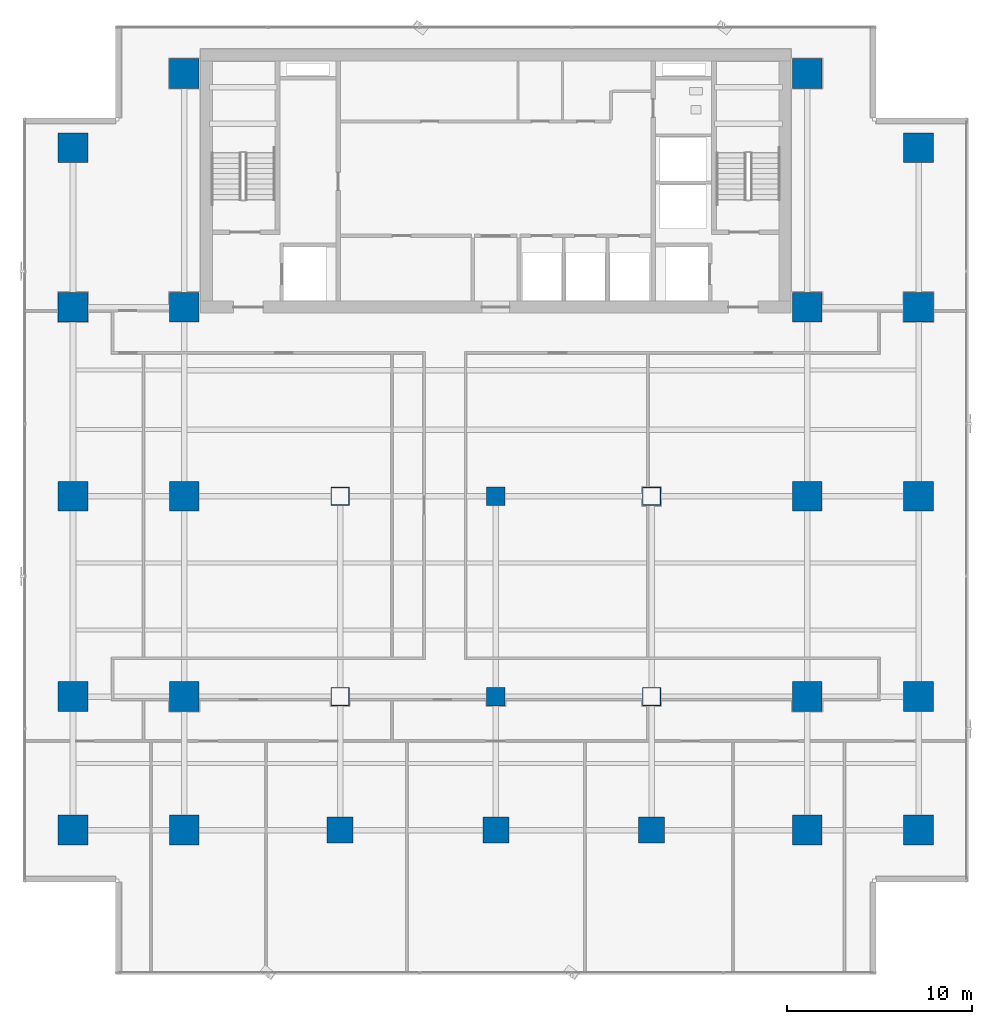
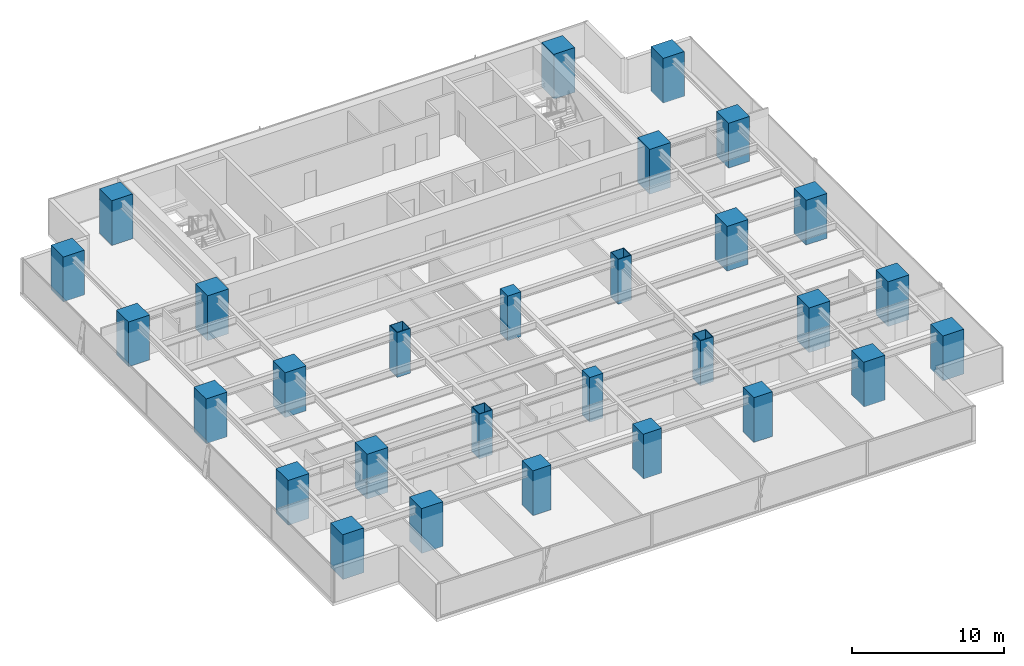
# One storey, part 1 of 36: 29 columns.
"""IFC4 building model written with IfcOpenShell, lengths in metres."""

from ifc_helpers import new_model, si_unit, direction, frame, origin, origin_2d, place, context, subcontext, project, spatial, rectangle, hollow_rectangle, extrude, source, transform, mapped, material, material_profile, profile_set, type_object, element, save


model = new_model("IFC4")

# Units and contexts
model_context = context("Model", 3, precision=1e-05, world=origin(), true_north=direction((0.0, 1.0)))
body_context = subcontext(model_context, "Body", "Model", "MODEL_VIEW")
ifc_project = project(units=[si_unit("LENGTHUNIT", "METRE"), si_unit("AREAUNIT", "SQUARE_METRE"), si_unit("VOLUMEUNIT", "CUBIC_METRE"), si_unit("PLANEANGLEUNIT", "RADIAN"), si_unit("MASSUNIT", "GRAM", prefix="KILO")], contexts=[model_context])

# Site, building, storey
site_placement = place(None, origin())
site = spatial("IfcSite", under=ifc_project, at=site_placement, CompositionType="ELEMENT")
building_placement = place(site_placement, origin())
building = spatial("IfcBuilding", under=site, at=building_placement, Name="Sumidabori Civic Tower", CompositionType="ELEMENT")
storey_placement = place(building_placement, frame((0.0, 0.0, 84.800048828125)))
storey = spatial("IfcBuildingStorey", under=building, at=storey_placement, Name="L21", CompositionType="ELEMENT", Elevation=84.800048828125)

# Columns
ifc_material_1 = material(Name="Concrete C60/75", Category="concrete")
ifc_material_profile_1 = material_profile(ifc_material_1, rectangle(XDim=1.60009765625, YDim=1.60009765625, at=origin_2d()), Name="RC 1600x1600")
ifc_profile_set_1 = profile_set([ifc_material_profile_1], Name="Concrete C60/75")
column_type_1 = type_object("IfcColumnType", Name="CL-MEGA-1600", PredefinedType="COLUMN", material=ifc_profile_set_1)
shared_shape_1 = source(origin(), body_context, "Body", "SweptSolid", [
    extrude(rectangle(XDim=1.60009765625, YDim=1.60009765625, at=origin_2d()), origin(), (0.0, 0.0, 1.0), 3.599853515625),
])
for number, where, z_axis, x_axis, name in (
    (1, (-16.800048828125, -18.0, 0.0), (0.0, 0.0, 1.0), (1.0, 0.0, 0.0), "Column MC-W16-Y18S L21"),
    (2, (-16.800048828125, -10.800048828125, 0.0), (0.0, 0.0, 1.0), (1.0, 0.0, 0.0), "Column MC-W16-Y11S L21"),
    (3, (-16.800048828125, 0.0, 0.0), (0.0, 0.0, 1.0), (1.0, 0.0, 0.0), "Column MC-W16-Y00 L21"),
    (4, (-16.800048828125, 10.199951171875, 0.0), (0.0, 0.0, 1.0), (1.0, 0.0, 0.0), "Column MC-W16-Y10N L21"),
    (5, (-16.800048828125, 22.800048828125, 0.0), (0.0, 0.0, 1.0), (1.0, 0.0, 0.0), "Column MC-W16-Y23N L21"),
    (6, (16.800048828125, -18.0, 0.0), (0.0, 0.0, 1.0), (1.0, 0.0, 0.0), "Column MC-E16-Y18S L21"),
    (7, (16.800048828125, -10.800048828125, 0.0), (0.0, 0.0, 1.0), (1.0, 0.0, 0.0), "Column MC-E16-Y11S L21"),
    (8, (16.800048828125, 0.0, 0.0), (0.0, 0.0, 1.0), (1.0, 0.0, 0.0), "Column MC-E16-Y00 L21"),
    (9, (16.800048828125, 10.199951171875, 0.0), (0.0, 0.0, 1.0), (1.0, 0.0, 0.0), "Column MC-E16-Y10N L21"),
    (10, (16.800048828125, 22.800048828125, 0.0), (0.0, 0.0, 1.0), (1.0, 0.0, 0.0), "Column MC-E16-Y23N L21"),
    (11, (-22.800048828125, -18.0, 0.0), (0.0, 0.0, 1.0), (1.0, 0.0, 0.0), "Column MC-W23-Y18S L21"),
    (12, (-22.800048828125, -10.800048828125, 0.0), (0.0, 0.0, 1.0), (1.0, 0.0, 0.0), "Column MC-W23-Y11S L21"),
    (13, (-22.800048828125, 0.0, 0.0), (0.0, 0.0, 1.0), (1.0, 0.0, 0.0), "Column MC-W23-Y00 L21"),
    (14, (-22.800048828125, 10.199951171875, 0.0), (0.0, 0.0, 1.0), (1.0, 0.0, 0.0), "Column MC-W23-Y10N L21"),
    (15, (-22.800048828125, 18.800048828125, 0.0), (0.0, 0.0, 1.0), (1.0, 0.0, 0.0), "Column MC-W23-Y19N L21"),
    (16, (22.800048828125, -18.0, 0.0), (0.0, 0.0, 1.0), (1.0, 0.0, 0.0), "Column MC-E23-Y18S L21"),
    (17, (22.800048828125, -10.800048828125, 0.0), (0.0, 0.0, 1.0), (1.0, 0.0, 0.0), "Column MC-E23-Y11S L21"),
    (18, (22.800048828125, 0.0, 0.0), (0.0, 0.0, 1.0), (1.0, 0.0, 0.0), "Column MC-E23-Y00 L21"),
    (19, (22.800048828125, 10.199951171875, 0.0), (0.0, 0.0, 1.0), (1.0, 0.0, 0.0), "Column MC-E23-Y10N L21"),
    (20, (22.800048828125, 18.800048828125, 0.0), (0.0, 0.0, 1.0), (1.0, 0.0, 0.0), "Column MC-E23-Y19N L21"),
):
    element("IfcColumn", number, at=place(storey_placement, frame(where, z_axis=z_axis, x_axis=x_axis)), inside=storey, type_object=column_type_1, Name=name, PredefinedType="COLUMN", context=body_context, shape_type="MappedRepresentation", body=[
        mapped(shared_shape_1, transform((0.0, 0.0, 0.0), x_axis=(1.0, 0.0, 0.0), y_axis=(0.0, 1.0, 0.0), z_axis=(0.0, 0.0, 1.0), scale=1.0)),
    ])
ifc_material_2 = material(Name="Steel SM570", Category="steel")
ifc_material_profile_2 = material_profile(ifc_material_2, hollow_rectangle(XDim=1.0, YDim=1.0, WallThickness=0.044921875, at=origin_2d()), Name="SHS 1000x1000x45")
ifc_profile_set_2 = profile_set([ifc_material_profile_2], Name="Steel SM570")
column_type_2 = type_object("IfcColumnType", Name="CL-PORTAL-SHS1000", PredefinedType="COLUMN", material=ifc_profile_set_2)
shared_shape_2 = source(origin(), body_context, "Body", "SweptSolid", [
    extrude(hollow_rectangle(XDim=1.0, YDim=1.0, WallThickness=0.044921875, at=origin_2d()), origin(), (0.0, 0.0, 1.0), 3.599853515625),
])
for number, where, z_axis, x_axis, name in (
    (21, (-8.39990234375, 0.0, 0.0), (0.0, 0.0, 1.0), (1.0, 0.0, 0.0), "Column MC-W08-Y00 L21"),
    (22, (-8.39990234375, -10.800048828125, 0.0), (0.0, 0.0, 1.0), (1.0, 0.0, 0.0), "Column MC-W08-Y11S L21"),
    (23, (8.39990234375, 0.0, 0.0), (0.0, 0.0, 1.0), (1.0, 0.0, 0.0), "Column MC-E08-Y00 L21"),
    (24, (8.39990234375, -10.800048828125, 0.0), (0.0, 0.0, 1.0), (1.0, 0.0, 0.0), "Column MC-E08-Y11S L21"),
):
    element("IfcColumn", number, at=place(storey_placement, frame(where, z_axis=z_axis, x_axis=x_axis)), inside=storey, type_object=column_type_2, Name=name, PredefinedType="COLUMN", context=body_context, shape_type="MappedRepresentation", body=[
        mapped(shared_shape_2, transform((0.0, 0.0, 0.0), x_axis=(1.0, 0.0, 0.0), y_axis=(0.0, 1.0, 0.0), z_axis=(0.0, 0.0, 1.0), scale=1.0)),
    ])
ifc_material_profile_3 = material_profile(ifc_material_1, rectangle(XDim=1.39990234375, YDim=1.39990234375, at=origin_2d()), Name="RC 1400x1400")
ifc_profile_set_3 = profile_set([ifc_material_profile_3], Name="Concrete C60/75")
column_type_3 = type_object("IfcColumnType", Name="CL-MEGA-1400", PredefinedType="COLUMN", material=ifc_profile_set_3)
shared_shape_3 = source(origin(), body_context, "Body", "SweptSolid", [
    extrude(rectangle(XDim=1.39990234375, YDim=1.39990234375, at=origin_2d()), origin(), (0.0, 0.0, 1.0), 3.599853515625),
])
for number, where, z_axis, x_axis, name in (
    (25, (-8.39990234375, -18.0, 0.0), (0.0, 0.0, 1.0), (1.0, 0.0, 0.0), "Column MC-W08-Y18S L21"),
    (26, (8.39990234375, -18.0, 0.0), (0.0, 0.0, 1.0), (1.0, 0.0, 0.0), "Column MC-E08-Y18S L21"),
    (27, (0.0, -18.0, 0.0), (0.0, 0.0, 1.0), (1.0, 0.0, 0.0), "Column MC-C00-Y18S L21"),
):
    element("IfcColumn", number, at=place(storey_placement, frame(where, z_axis=z_axis, x_axis=x_axis)), inside=storey, type_object=column_type_3, Name=name, PredefinedType="COLUMN", context=body_context, shape_type="MappedRepresentation", body=[
        mapped(shared_shape_3, transform((0.0, 0.0, 0.0), x_axis=(1.0, 0.0, 0.0), y_axis=(0.0, 1.0, 0.0), z_axis=(0.0, 0.0, 1.0), scale=1.0)),
    ])
ifc_material_3 = material(Name="Concrete C50/60", Category="concrete")
ifc_material_profile_4 = material_profile(ifc_material_3, rectangle(XDim=1.0, YDim=1.0, at=origin_2d()), Name="RC 1000x1000")
ifc_profile_set_4 = profile_set([ifc_material_profile_4], Name="Concrete C50/60")
column_type_4 = type_object("IfcColumnType", Name="CL-INT-1000", PredefinedType="COLUMN", material=ifc_profile_set_4)
shared_shape_4 = source(origin(), body_context, "Body", "SweptSolid", [
    extrude(rectangle(XDim=1.0, YDim=1.0, at=origin_2d()), origin(), (0.0, 0.0, 1.0), 3.599853515625),
])
for number, where, z_axis, x_axis, name in (
    (28, (0.0, -10.800048828125, 0.0), (0.0, 0.0, 1.0), (1.0, 0.0, 0.0), "Column MC-C00-Y11S L21"),
    (29, (0.0, 0.0, 0.0), (0.0, 0.0, 1.0), (1.0, 0.0, 0.0), "Column MC-C00-Y00 L21"),
):
    element("IfcColumn", number, at=place(storey_placement, frame(where, z_axis=z_axis, x_axis=x_axis)), inside=storey, type_object=column_type_4, Name=name, PredefinedType="COLUMN", context=body_context, shape_type="MappedRepresentation", body=[
        mapped(shared_shape_4, transform((0.0, 0.0, 0.0), x_axis=(1.0, 0.0, 0.0), y_axis=(0.0, 1.0, 0.0), z_axis=(0.0, 0.0, 1.0), scale=1.0)),
    ])

save(model, "model.ifc")
